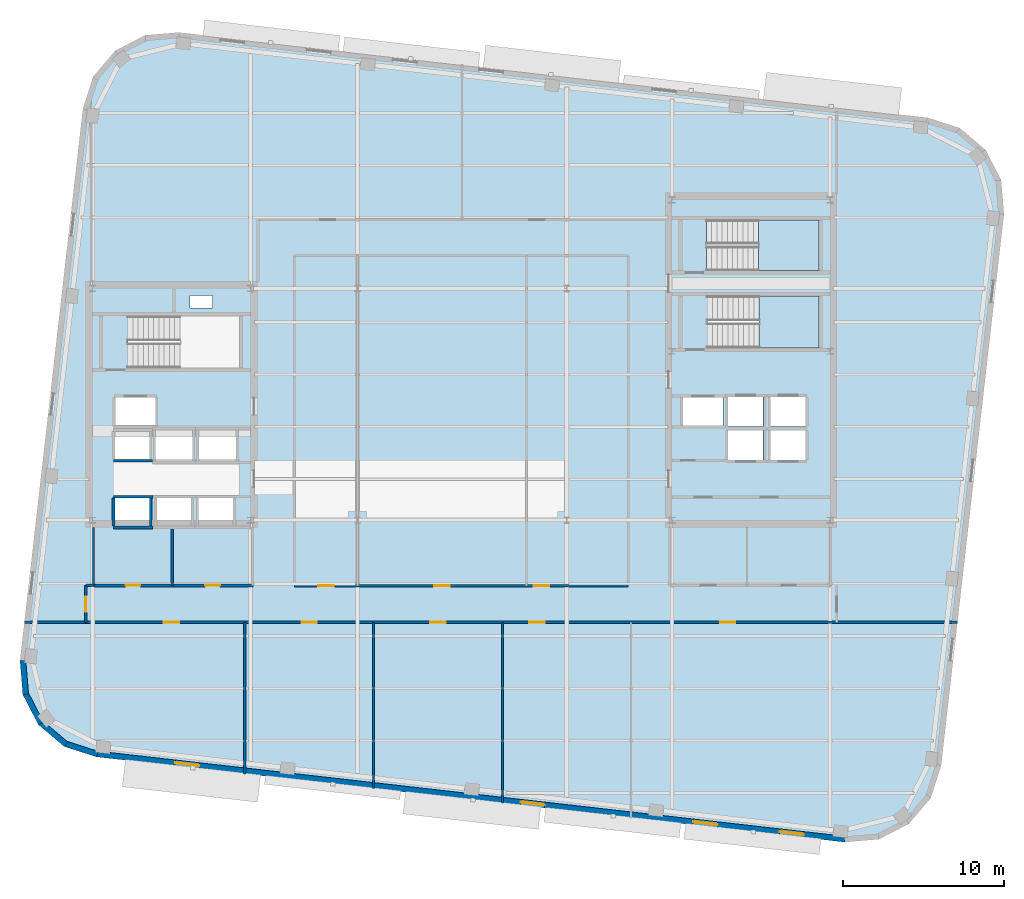
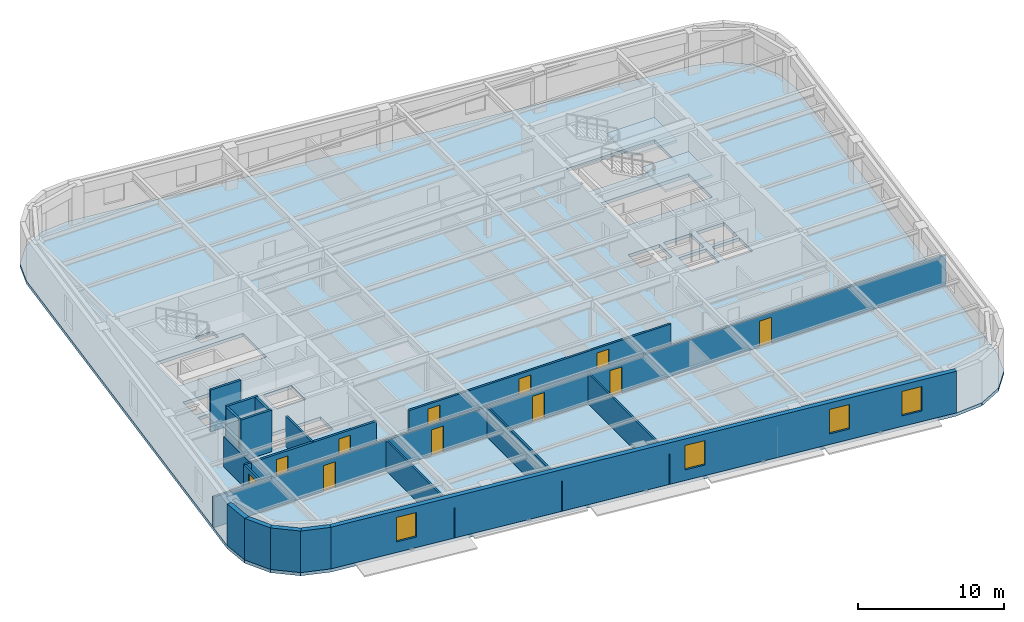
# One storey, part 5 of 12: 20 walls, 11 doors, 4 windows, 3 slabs, 15 openings, 2 elements without a shape of their own.
"""IFC4 building model written with IfcOpenShell, lengths in metres."""

from ifc_helpers import new_model, si_unit, direction, frame, frame_2d, origin, place, context, subcontext, project, spatial, polyline, rectangle, outline, extrude, material, layer, layer_set, type_object, element, fill, aggregate, save


model = new_model("IFC4")

# Units and contexts
model_context = context("Model", 3, precision=1e-05, world=origin(), true_north=direction((0.0, 1.0)))
body_context = subcontext(model_context, "Body", "Model", "MODEL_VIEW")
ifc_project = project(units=[si_unit("LENGTHUNIT", "METRE"), si_unit("AREAUNIT", "SQUARE_METRE"), si_unit("VOLUMEUNIT", "CUBIC_METRE"), si_unit("PLANEANGLEUNIT", "RADIAN"), si_unit("MASSUNIT", "GRAM", prefix="KILO")], contexts=[model_context])

# Site, building, storey
site_placement = place(None, origin())
site = spatial("IfcSite", under=ifc_project, at=site_placement, CompositionType="ELEMENT")
building_placement = place(site_placement, origin())
building = spatial("IfcBuilding", under=site, at=building_placement, Name="Kolvaren Arena Tower", CompositionType="ELEMENT")
storey_placement = place(building_placement, frame((0.0, 0.0, 220.949951171875)))
storey = spatial("IfcBuildingStorey", under=building, at=storey_placement, Name="L53", CompositionType="ELEMENT", Elevation=220.949951171875)

# Stair, slab
ifc_material_1 = material(Name="Concrete 45 MPa", Category="concrete")
stair_type_1 = type_object("IfcStairType", Name="STAIR-CORE-165", PredefinedType="HALF_TURN_STAIR", material=ifc_material_1)
stair_1_placement = place(storey_placement, origin())
stair_1 = element("IfcStair", 1, at=stair_1_placement, inside=storey, type_object=stair_type_1, Name="L53 ST-E1", PredefinedType="HALF_TURN_STAIR")
ifc_layer_1 = layer(ifc_material_1, 0.199951171875)
ifc_layer_set_1 = layer_set([ifc_layer_1], Name="Concrete 45 MPa")
slab_type_1 = type_object("IfcSlabType", Name="SLAB-LAND", PredefinedType="LANDING", material=ifc_layer_set_1)
slab_1_placement = place(storey_placement, frame((0.0, 0.0, 1.675048828125)))
slab_1 = element("IfcSlab", 2, at=slab_1_placement, type_object=slab_type_1, Name="ST-E1 landing 1", PredefinedType="LANDING", context=body_context, shape_type="SweptSolid", body=[
    extrude(outline(polyline([(55.9599609375, 30.14990234375), (59.659912109375, 30.14990234375), (59.659912109375, 33.3798828125), (55.9599609375, 33.3798828125), (55.9599609375, 30.14990234375)])), origin(), (0.0, 0.0, 1.0), 0.199951171875),
])
aggregate(stair_1, [slab_1])

stair_type_2 = type_object("IfcStairType", Name="STAIR-CORE-150", PredefinedType="HALF_TURN_STAIR", material=ifc_material_1)
stair_2_placement = place(storey_placement, origin())
stair_2 = element("IfcStair", 3, at=stair_2_placement, inside=storey, type_object=stair_type_2, Name="L53 ST-E2", PredefinedType="HALF_TURN_STAIR")
slab_2_placement = place(storey_placement, frame((0.0, 0.0, 1.675048828125)))
slab_2 = element("IfcSlab", 4, at=slab_2_placement, type_object=slab_type_1, Name="ST-E2 landing 1", PredefinedType="LANDING", context=body_context, shape_type="SweptSolid", body=[
    extrude(outline(polyline([(55.919921875, 34.949951171875), (59.659912109375, 34.949951171875), (59.659912109375, 38.10009765625), (55.919921875, 38.10009765625), (55.919921875, 34.949951171875)])), origin(), (0.0, 0.0, 1.0), 0.199951171875),
])
aggregate(stair_2, [slab_2])

# Slab
ifc_layer_2 = layer(ifc_material_1, 0.27001953125)
ifc_layer_set_2 = layer_set([ifc_layer_2], Name="Concrete 45 MPa")
slab_type_2 = type_object("IfcSlabType", Name="SLAB-OFF2", PredefinedType="FLOOR", material=ifc_layer_set_2)
slab_3_placement = place(storey_placement, frame((0.0, 0.0, -0.27001953125)))
element("IfcSlab", 5, at=slab_3_placement, inside=storey, type_object=slab_type_2, Name="L53 Primary Structural Slab", PredefinedType="FLOOR", context=body_context, shape_type="SweptSolid", body=[
    extrude(outline(polyline([(61.285400390625, -0.553466796875), (63.38525390625, -0.37890625), (65.25830078125, 0.585693359375), (66.619873046875, 2.194091796875), (67.26220703125, 4.20068359375), (71.16748046875, 38.47900390625), (70.9931640625, 40.57861328125), (70.0283203125, 42.45166015625), (68.42041015625, 43.81298828125), (66.41357421875, 44.455322265625), (19.91455078125, 49.75341796875), (17.814697265625, 49.578857421875), (15.941650390625, 48.6142578125), (14.580078125, 47.006103515625), (13.93798828125, 44.99951171875), (10.032470703125, 10.72119140625), (10.206787109375, 8.621337890625), (11.171630859375, 6.748291015625), (12.77978515625, 5.386962890625), (14.786376953125, 4.74462890625), (61.285400390625, -0.553466796875)]), holes=[polyline([(15.93505859375, 19.0849609375), (15.93505859375, 20.81494140625), (18.06494140625, 20.81494140625), (18.06494140625, 19.0849609375), (15.93505859375, 19.0849609375)]), polyline([(18.534912109375, 19.0849609375), (18.534912109375, 20.81494140625), (20.6650390625, 20.81494140625), (20.6650390625, 19.0849609375), (18.534912109375, 19.0849609375)]), polyline([(21.135009765625, 19.0849609375), (21.135009765625, 20.81494140625), (23.264892578125, 20.81494140625), (23.264892578125, 19.0849609375), (21.135009765625, 19.0849609375)]), polyline([(18.4599609375, 23.135009765625), (18.4599609375, 25.06494140625), (20.739990234375, 25.06494140625), (20.739990234375, 23.135009765625), (18.4599609375, 23.135009765625)]), polyline([(21.159912109375, 23.135009765625), (21.159912109375, 25.06494140625), (23.43994140625, 25.06494140625), (23.43994140625, 23.135009765625), (21.159912109375, 23.135009765625)]), polyline([(54.030029296875, 23.18505859375), (54.030029296875, 25.014892578125), (56.2099609375, 25.014892578125), (56.2099609375, 23.18505859375), (54.030029296875, 23.18505859375)]), polyline([(56.669921875, 23.18505859375), (56.669921875, 25.014892578125), (58.85009765625, 25.014892578125), (58.85009765625, 23.18505859375), (56.669921875, 23.18505859375)]), polyline([(15.93505859375, 23.235107421875), (15.93505859375, 24.965087890625), (18.06494140625, 24.965087890625), (18.06494140625, 23.235107421875), (15.93505859375, 23.235107421875)]), polyline([(54.030029296875, 25.284912109375), (54.030029296875, 27.114990234375), (56.2099609375, 27.114990234375), (56.2099609375, 25.284912109375), (54.030029296875, 25.284912109375)]), polyline([(56.669921875, 25.284912109375), (56.669921875, 27.114990234375), (58.85009765625, 27.114990234375), (58.85009765625, 25.284912109375), (56.669921875, 25.284912109375)]), polyline([(15.9599609375, 25.3349609375), (15.9599609375, 27.06494140625), (18.43994140625, 27.06494140625), (18.43994140625, 25.3349609375), (15.9599609375, 25.3349609375)]), polyline([(51.219970703125, 25.3349609375), (51.219970703125, 27.06494140625), (53.699951171875, 27.06494140625), (53.699951171875, 25.3349609375), (51.219970703125, 25.3349609375)]), polyline([(16.735107421875, 28.89990234375), (16.735107421875, 32.1298828125), (23.659912109375, 32.1298828125), (23.659912109375, 28.89990234375), (16.735107421875, 28.89990234375)]), polyline([(52.735107421875, 30.14990234375), (52.735107421875, 33.3798828125), (59.659912109375, 33.3798828125), (59.659912109375, 30.14990234375), (52.735107421875, 30.14990234375)]), polyline([(20.60009765625, 32.6201171875), (20.60009765625, 33.39990234375), (22.0, 33.39990234375), (22.0, 32.6201171875), (20.60009765625, 32.6201171875)]), polyline([(52.695068359375, 34.949951171875), (52.695068359375, 38.10009765625), (59.659912109375, 38.10009765625), (59.659912109375, 34.949951171875), (52.695068359375, 34.949951171875)])]), origin(), (0.0, 0.0, 1.0), 0.27001953125),
])

# Wall, openings, doors
ifc_material_2 = material(Name="Gypsum board acoustic assembly", Category="gypsum")
ifc_layer_3 = layer(ifc_material_2, 0.159912109375)
ifc_layer_set_3 = layer_set([ifc_layer_3], Name="Gypsum board acoustic assembly")
wall_type_1 = type_object("IfcWallType", Name="CORR-160", PredefinedType="PARTITIONING", material=ifc_layer_set_3)
wall_1_placement = place(storey_placement, frame((10.303466796875, 13.10009765625, 0.0), z_axis=(0.0, 0.0, 1.0), x_axis=(1.0, 0.0, 0.0)))
wall_1 = element("IfcWall", 6, at=wall_1_placement, inside=storey, type_object=wall_type_1, Name="Interior Partition Wall (L53)", PredefinedType="PARTITIONING", context=body_context, shape_type="SweptSolid", body=[
    extrude(rectangle(XDim=57.97265625, YDim=0.159912109375, at=frame_2d((28.986328125, 0.0))), origin(), (0.0, 0.0, 1.0), 2.5400390625),
])
opening_1_placement = place(wall_1_placement, frame((8.671630859375, 0.0, 0.0)))
opening_1 = element("IfcOpeningElement", 7, at=opening_1_placement, cuts=wall_1, Name="Opening D05", PredefinedType="OPENING", context=body_context, shape_type="SweptSolid", body=[
    extrude(rectangle(XDim=0.949951171875, YDim=2.14990234375, at=frame_2d((0.47509765625, 1.074951171875))), frame((0.0, 0.08984375, 0.0), z_axis=(0.0, -1.0, 0.0), x_axis=(1.0, 0.0, 0.0)), (0.0, 0.0, 1.0), 0.179931640625),
])
opening_2_placement = place(wall_1_placement, frame((17.2216796875, 0.0, 0.0)))
opening_2 = element("IfcOpeningElement", 8, at=opening_2_placement, cuts=wall_1, Name="Opening D05", PredefinedType="OPENING", context=body_context, shape_type="SweptSolid", body=[
    extrude(rectangle(XDim=0.949951171875, YDim=2.14990234375, at=frame_2d((0.47509765625, 1.074951171875))), frame((0.0, 0.08984375, 0.0), z_axis=(0.0, -1.0, 0.0), x_axis=(1.0, 0.0, 0.0)), (0.0, 0.0, 1.0), 0.179931640625),
])
opening_3_placement = place(wall_1_placement, frame((25.2216796875, 0.0, 0.0)))
opening_3 = element("IfcOpeningElement", 9, at=opening_3_placement, cuts=wall_1, Name="Opening D05", PredefinedType="OPENING", context=body_context, shape_type="SweptSolid", body=[
    extrude(rectangle(XDim=0.949951171875, YDim=2.14990234375, at=frame_2d((0.47509765625, 1.074951171875))), frame((0.0, 0.08984375, 0.0), z_axis=(0.0, -1.0, 0.0), x_axis=(1.0, 0.0, 0.0)), (0.0, 0.0, 1.0), 0.179931640625),
])
opening_4_placement = place(wall_1_placement, frame((31.37158203125, 0.0, 0.0)))
opening_4 = element("IfcOpeningElement", 10, at=opening_4_placement, cuts=wall_1, Name="Opening D05", PredefinedType="OPENING", context=body_context, shape_type="SweptSolid", body=[
    extrude(rectangle(XDim=0.949951171875, YDim=2.14990234375, at=frame_2d((0.47509765625, 1.074951171875))), frame((0.0, 0.08984375, 0.0), z_axis=(0.0, -1.0, 0.0), x_axis=(1.0, 0.0, 0.0)), (0.0, 0.0, 1.0), 0.179931640625),
])
opening_5_placement = place(wall_1_placement, frame((43.2216796875, 0.0, 0.0)))
opening_5 = element("IfcOpeningElement", 11, at=opening_5_placement, cuts=wall_1, Name="Opening D05", PredefinedType="OPENING", context=body_context, shape_type="SweptSolid", body=[
    extrude(rectangle(XDim=0.949951171875, YDim=2.14990234375, at=frame_2d((0.47509765625, 1.074951171875))), frame((0.0, 0.08984375, 0.0), z_axis=(0.0, -1.0, 0.0), x_axis=(1.0, 0.0, 0.0)), (0.0, 0.0, 1.0), 0.179931640625),
])
ifc_material_3 = material(Name="Solid-core oak acoustic office door", Category="wood")
door_type_1 = type_object("IfcDoorType", Name="DOOR-OF-095", OperationType="NOTDEFINED", PredefinedType="DOOR", material=ifc_material_3)
door_1_placement = place(opening_1_placement, origin())
door_1 = element("IfcDoor", 12, at=door_1_placement, inside=storey, type_object=door_type_1, Name="Technical Engineering Office Door (L53)", OperationType="SINGLE_SWING_LEFT", OverallHeight=2.14990234375, OverallWidth=0.949951171875, PredefinedType="DOOR", context=body_context, shape_type="SweptSolid", body=[
    extrude(rectangle(XDim=0.949951171875, YDim=2.14990234375, at=frame_2d((0.47509765625, 1.074951171875))), frame((0.0, 0.02490234375, 0.0), z_axis=(0.0, -1.0, 0.0), x_axis=(1.0, 0.0, 0.0)), (0.0, 0.0, 1.0), 0.050048828125),
])
fill(opening_1, door_1)
door_2_placement = place(opening_2_placement, origin())
door_2 = element("IfcDoor", 13, at=door_2_placement, inside=storey, type_object=door_type_1, Name="Training Seminar Room Door (L53)", OperationType="SINGLE_SWING_RIGHT", OverallHeight=2.14990234375, OverallWidth=0.949951171875, PredefinedType="DOOR", context=body_context, shape_type="SweptSolid", body=[
    extrude(rectangle(XDim=0.949951171875, YDim=2.14990234375, at=frame_2d((0.47509765625, 1.074951171875))), frame((0.0, 0.02490234375, 0.0), z_axis=(0.0, -1.0, 0.0), x_axis=(1.0, 0.0, 0.0)), (0.0, 0.0, 1.0), 0.050048828125),
])
fill(opening_2, door_2)
door_3_placement = place(opening_3_placement, origin())
door_3 = element("IfcDoor", 14, at=door_3_placement, inside=storey, type_object=door_type_1, Name="Open Plan Office Door (L53)", OperationType="SINGLE_SWING_LEFT", OverallHeight=2.14990234375, OverallWidth=0.949951171875, PredefinedType="DOOR", context=body_context, shape_type="SweptSolid", body=[
    extrude(rectangle(XDim=0.949951171875, YDim=2.14990234375, at=frame_2d((0.47509765625, 1.074951171875))), frame((0.0, 0.02490234375, 0.0), z_axis=(0.0, -1.0, 0.0), x_axis=(1.0, 0.0, 0.0)), (0.0, 0.0, 1.0), 0.050048828125),
])
fill(opening_3, door_3)
door_4_placement = place(opening_4_placement, origin())
door_4 = element("IfcDoor", 15, at=door_4_placement, inside=storey, type_object=door_type_1, Name="Boardroom Door (L53)", OperationType="SINGLE_SWING_RIGHT", OverallHeight=2.14990234375, OverallWidth=0.949951171875, PredefinedType="DOOR", context=body_context, shape_type="SweptSolid", body=[
    extrude(rectangle(XDim=0.949951171875, YDim=2.14990234375, at=frame_2d((0.47509765625, 1.074951171875))), frame((0.0, 0.02490234375, 0.0), z_axis=(0.0, -1.0, 0.0), x_axis=(1.0, 0.0, 0.0)), (0.0, 0.0, 1.0), 0.050048828125),
])
fill(opening_4, door_4)
door_5_placement = place(opening_5_placement, origin())
door_5 = element("IfcDoor", 16, at=door_5_placement, inside=storey, type_object=door_type_1, Name="Breakout Pantry and Kitchen Door (L53)", OperationType="SINGLE_SWING_LEFT", OverallHeight=2.14990234375, OverallWidth=0.949951171875, PredefinedType="DOOR", context=body_context, shape_type="SweptSolid", body=[
    extrude(rectangle(XDim=0.949951171875, YDim=2.14990234375, at=frame_2d((0.47509765625, 1.074951171875))), frame((0.0, 0.02490234375, 0.0), z_axis=(0.0, -1.0, 0.0), x_axis=(1.0, 0.0, 0.0)), (0.0, 0.0, 1.0), 0.050048828125),
])
fill(opening_5, door_5)

wall_2_placement = place(storey_placement, frame((27.080078125, 15.3798828125, 0.0), z_axis=(0.0, 0.0, 1.0), x_axis=(1.0, 0.0, 0.0)))
wall_2 = element("IfcWall", 17, at=wall_2_placement, inside=storey, type_object=wall_type_1, Name="Interior Partition Wall (L53)", PredefinedType="PARTITIONING", context=body_context, shape_type="SweptSolid", body=[
    extrude(rectangle(XDim=20.739990234375, YDim=0.159912109375, at=frame_2d((10.3701171875, 0.0))), origin(), (0.0, 0.0, 1.0), 2.5400390625),
])
opening_6_placement = place(wall_2_placement, frame((1.4951171875, 0.0, 0.0)))
opening_6 = element("IfcOpeningElement", 18, at=opening_6_placement, cuts=wall_2, Name="Opening D05", PredefinedType="OPENING", context=body_context, shape_type="SweptSolid", body=[
    extrude(rectangle(XDim=0.949951171875, YDim=2.14990234375, at=frame_2d((0.47509765625, 1.074951171875))), frame((0.0, 0.08984375, 0.0), z_axis=(0.0, -1.0, 0.0), x_axis=(1.0, 0.0, 0.0)), (0.0, 0.0, 1.0), 0.179931640625),
])
opening_7_placement = place(wall_2_placement, frame((8.695068359375, 0.0, 0.0)))
opening_7 = element("IfcOpeningElement", 19, at=opening_7_placement, cuts=wall_2, Name="Opening D05", PredefinedType="OPENING", context=body_context, shape_type="SweptSolid", body=[
    extrude(rectangle(XDim=0.949951171875, YDim=2.14990234375, at=frame_2d((0.47509765625, 1.074951171875))), frame((0.0, 0.08984375, 0.0), z_axis=(0.0, -1.0, 0.0), x_axis=(1.0, 0.0, 0.0)), (0.0, 0.0, 1.0), 0.179931640625),
])
opening_8_placement = place(wall_2_placement, frame((14.8701171875, 0.0, 0.0)))
opening_8 = element("IfcOpeningElement", 20, at=opening_8_placement, cuts=wall_2, Name="Opening D05", PredefinedType="OPENING", context=body_context, shape_type="SweptSolid", body=[
    extrude(rectangle(XDim=0.949951171875, YDim=2.14990234375, at=frame_2d((0.47509765625, 1.074951171875))), frame((0.0, 0.08984375, 0.0), z_axis=(0.0, -1.0, 0.0), x_axis=(1.0, 0.0, 0.0)), (0.0, 0.0, 1.0), 0.179931640625),
])
door_6_placement = place(opening_6_placement, origin())
door_6 = element("IfcDoor", 21, at=door_6_placement, inside=storey, type_object=door_type_1, Name="Training Seminar Room Door (L53)", OperationType="SINGLE_SWING_RIGHT", OverallHeight=2.14990234375, OverallWidth=0.949951171875, PredefinedType="DOOR", context=body_context, shape_type="SweptSolid", body=[
    extrude(rectangle(XDim=0.949951171875, YDim=2.14990234375, at=frame_2d((0.47509765625, 1.074951171875))), frame((0.0, 0.02490234375, 0.0), z_axis=(0.0, -1.0, 0.0), x_axis=(1.0, 0.0, 0.0)), (0.0, 0.0, 1.0), 0.050048828125),
])
fill(opening_6, door_6)
door_7_placement = place(opening_7_placement, origin())
door_7 = element("IfcDoor", 22, at=door_7_placement, inside=storey, type_object=door_type_1, Name="Open Plan Office Door (L53)", OperationType="SINGLE_SWING_LEFT", OverallHeight=2.14990234375, OverallWidth=0.949951171875, PredefinedType="DOOR", context=body_context, shape_type="SweptSolid", body=[
    extrude(rectangle(XDim=0.949951171875, YDim=2.14990234375, at=frame_2d((0.47509765625, 1.074951171875))), frame((0.0, 0.02490234375, 0.0), z_axis=(0.0, -1.0, 0.0), x_axis=(1.0, 0.0, 0.0)), (0.0, 0.0, 1.0), 0.050048828125),
])
fill(opening_7, door_7)
door_8_placement = place(opening_8_placement, origin())
door_8 = element("IfcDoor", 23, at=door_8_placement, inside=storey, type_object=door_type_1, Name="Corporate Project Office Door (L53)", OperationType="SINGLE_SWING_RIGHT", OverallHeight=2.14990234375, OverallWidth=0.949951171875, PredefinedType="DOOR", context=body_context, shape_type="SweptSolid", body=[
    extrude(rectangle(XDim=0.949951171875, YDim=2.14990234375, at=frame_2d((0.47509765625, 1.074951171875))), frame((0.0, 0.02490234375, 0.0), z_axis=(0.0, -1.0, 0.0), x_axis=(1.0, 0.0, 0.0)), (0.0, 0.0, 1.0), 0.050048828125),
])
fill(opening_8, door_8)

# Wall, opening, door
wall_3_placement = place(storey_placement, frame((14.1201171875, 13.10009765625, 0.0), z_axis=(0.0, 0.0, 1.0), x_axis=(0.0, 1.0, 0.0)))
wall_3 = element("IfcWall", 24, at=wall_3_placement, inside=storey, type_object=wall_type_1, Name="Interior Partition Wall (L53)", PredefinedType="PARTITIONING", context=body_context, shape_type="SweptSolid", body=[
    extrude(rectangle(XDim=2.2998046875, YDim=0.159912109375, at=frame_2d((1.14990234375, 0.0))), origin(), (0.0, 0.0, 1.0), 2.5400390625),
])
opening_9_placement = place(wall_3_placement, frame((0.64990234375, 0.0, 0.0)))
opening_9 = element("IfcOpeningElement", 25, at=opening_9_placement, cuts=wall_3, Name="Opening D05", PredefinedType="OPENING", context=body_context, shape_type="SweptSolid", body=[
    extrude(rectangle(XDim=0.949951171875, YDim=2.14990234375, at=frame_2d((0.47509765625, 1.074951171875))), frame((0.0, 0.08984375, 0.0), z_axis=(0.0, -1.0, 0.0), x_axis=(1.0, 0.0, 0.0)), (0.0, 0.0, 1.0), 0.179931640625),
])
door_9_placement = place(opening_9_placement, origin())
door_9 = element("IfcDoor", 26, at=door_9_placement, inside=storey, type_object=door_type_1, Name="West Wing Office Door (L53)", OperationType="SINGLE_SWING_LEFT", OverallHeight=2.14990234375, OverallWidth=0.949951171875, PredefinedType="DOOR", context=body_context, shape_type="SweptSolid", body=[
    extrude(rectangle(XDim=0.949951171875, YDim=2.14990234375, at=frame_2d((0.47509765625, 1.074951171875))), frame((0.0, 0.02490234375, 0.0), z_axis=(0.0, -1.0, 0.0), x_axis=(1.0, 0.0, 0.0)), (0.0, 0.0, 1.0), 0.050048828125),
])
fill(opening_9, door_9)

# Walls
wall_4_placement = place(storey_placement, frame((14.1201171875, 15.39990234375, 0.0), z_axis=(0.0, 0.0, 1.0), x_axis=(1.0, 0.0, 0.0)))
element("IfcWall", 27, at=wall_4_placement, inside=storey, type_object=wall_type_1, Name="Interior Partition Wall (L53)", PredefinedType="PARTITIONING", context=body_context, shape_type="SweptSolid", body=[
    extrude(rectangle(XDim=0.5, YDim=0.159912109375, at=frame_2d((0.25, 0.0))), origin(), (0.0, 0.0, 1.0), 2.5400390625),
])
ifc_material_4 = material(Name="Precast concrete C50/60", Category="concrete")
ifc_layer_4 = layer(ifc_material_4, 0.360107421875)
ifc_layer_set_4 = layer_set([ifc_layer_4], Name="Precast concrete C50/60")
wall_type_2 = type_object("IfcWallType", Name="EXT-PIER2", PredefinedType="SOLIDWALL", material=ifc_layer_set_4)
wall_5_placement = place(storey_placement, frame((10.38623046875, 8.63623046875, 0.0), z_axis=(0.0, 0.0, 1.0), x_axis=(-0.082729038891, 0.996572077737, 0.0)))
element("IfcWall", 28, at=wall_5_placement, inside=storey, type_object=wall_type_2, Name="Exterior Precast Masonry-Frame Wall (L53)", PredefinedType="SOLIDWALL", context=body_context, shape_type="SweptSolid", body=[
    extrude(rectangle(XDim=2.107177734375, YDim=0.360107421875, at=frame_2d((1.0537109375, 0.0))), origin(), (0.0, 0.0, 1.0), 3.47998046875),
])
for number, where, z_axis, x_axis, name in (
    (29, (11.33154296875, 6.830810546875, 0.0), (0.0, 0.0, 1.0), (-0.457934390142, 0.888985992199, 0.0), "Exterior Precast Masonry-Frame Wall (L53)"),
    (30, (12.89599609375, 5.5244140625, 0.0), (0.0, 0.0, 1.0), (-0.763250018691, 0.646103249464, 0.0), "Exterior Precast Masonry-Frame Wall (L53)"),
    (31, (14.84130859375, 4.916015625, 0.0), (0.0, 0.0, 1.0), (-0.952393196904, 0.304872429864, 0.0), "Exterior Precast Masonry-Frame Wall (L53)"),
):
    element("IfcWall", number, at=place(storey_placement, frame(where, z_axis=z_axis, x_axis=x_axis)), inside=storey, type_object=wall_type_2, Name=name, PredefinedType="SOLIDWALL", context=body_context, shape_type="SweptSolid", body=[
        extrude(rectangle(XDim=2.10693359375, YDim=0.360107421875, at=frame_2d((1.053466796875, 0.0))), origin(), (0.0, 0.0, 1.0), 3.47998046875),
    ])

# Wall, openings, windows
wall_6_placement = place(storey_placement, frame((61.305908203125, -0.37451171875, 0.0), z_axis=(0.0, 0.0, 1.0), x_axis=(-0.993571958919, 0.113202307616, 0.0)))
wall_6 = element("IfcWall", 32, at=wall_6_placement, inside=storey, type_object=wall_type_2, Name="Exterior Precast Masonry-Frame Wall (L53)", PredefinedType="SOLIDWALL", context=body_context, shape_type="SweptSolid", body=[
    extrude(rectangle(XDim=46.7998046875, YDim=0.360107421875, at=frame_2d((23.39990234375, 0.0))), origin(), (0.0, 0.0, 1.0), 3.47998046875),
])
opening_10_placement = place(wall_6_placement, frame((2.60009765625, 0.0, 0.8798828125)))
opening_10 = element("IfcOpeningElement", 33, at=opening_10_placement, cuts=wall_6, Name="Opening W03", PredefinedType="OPENING", context=body_context, shape_type="SweptSolid", body=[
    extrude(rectangle(XDim=1.5, YDim=2.050048828125, at=frame_2d((0.75, 1.02490234375))), frame((0.0, 0.18994140625, 0.0), z_axis=(0.0, -1.0, 0.0), x_axis=(1.0, 0.0, 0.0)), (0.0, 0.0, 1.0), 0.380126953125),
])
opening_11_placement = place(wall_6_placement, frame((8.0, 0.0, 0.8798828125)))
opening_11 = element("IfcOpeningElement", 34, at=opening_11_placement, cuts=wall_6, Name="Opening W03", PredefinedType="OPENING", context=body_context, shape_type="SweptSolid", body=[
    extrude(rectangle(XDim=1.5, YDim=2.050048828125, at=frame_2d((0.75, 1.02490234375))), frame((0.0, 0.18994140625, 0.0), z_axis=(0.0, -1.0, 0.0), x_axis=(1.0, 0.0, 0.0)), (0.0, 0.0, 1.0), 0.380126953125),
])
opening_12_placement = place(wall_6_placement, frame((18.800048828125, 0.0, 0.8798828125)))
opening_12 = element("IfcOpeningElement", 35, at=opening_12_placement, cuts=wall_6, Name="Opening W03", PredefinedType="OPENING", context=body_context, shape_type="SweptSolid", body=[
    extrude(rectangle(XDim=1.5, YDim=2.050048828125, at=frame_2d((0.75, 1.02490234375))), frame((0.0, 0.18994140625, 0.0), z_axis=(0.0, -1.0, 0.0), x_axis=(1.0, 0.0, 0.0)), (0.0, 0.0, 1.0), 0.380126953125),
])
opening_13_placement = place(wall_6_placement, frame((40.39990234375, 0.0, 0.8798828125)))
opening_13 = element("IfcOpeningElement", 36, at=opening_13_placement, cuts=wall_6, Name="Opening W03", PredefinedType="OPENING", context=body_context, shape_type="SweptSolid", body=[
    extrude(rectangle(XDim=1.5, YDim=2.050048828125, at=frame_2d((0.75, 1.02490234375))), frame((0.0, 0.18994140625, 0.0), z_axis=(0.0, -1.0, 0.0), x_axis=(1.0, 0.0, 0.0)), (0.0, 0.0, 1.0), 0.380126953125),
])
ifc_material_5 = material(Name="Triple-glazed low-E aluminium window", Category="aluminium")
window_type = type_object("IfcWindowType", Name="WIN-OFF-C", PartitioningType="SINGLE_PANEL", PredefinedType="WINDOW", material=ifc_material_5)
window_1_placement = place(opening_10_placement, origin())
window_1 = element("IfcWindow", 37, at=window_1_placement, inside=storey, type_object=window_type, Name="Punched Precast-Pier Window (L53)", OverallHeight=2.050048828125, OverallWidth=1.5, PartitioningType="SINGLE_PANEL", PredefinedType="WINDOW", context=body_context, shape_type="SweptSolid", body=[
    extrude(rectangle(XDim=1.5, YDim=2.050048828125, at=frame_2d((0.75, 1.02490234375))), frame((0.0, 0.030029296875, 0.0), z_axis=(0.0, -1.0, 0.0), x_axis=(1.0, 0.0, 0.0)), (0.0, 0.0, 1.0), 0.06005859375),
])
fill(opening_10, window_1)
window_2_placement = place(opening_11_placement, origin())
window_2 = element("IfcWindow", 38, at=window_2_placement, inside=storey, type_object=window_type, Name="Punched Precast-Pier Window (L53)", OverallHeight=2.050048828125, OverallWidth=1.5, PartitioningType="SINGLE_PANEL", PredefinedType="WINDOW", context=body_context, shape_type="SweptSolid", body=[
    extrude(rectangle(XDim=1.5, YDim=2.050048828125, at=frame_2d((0.75, 1.02490234375))), frame((0.0, 0.030029296875, 0.0), z_axis=(0.0, -1.0, 0.0), x_axis=(1.0, 0.0, 0.0)), (0.0, 0.0, 1.0), 0.06005859375),
])
fill(opening_11, window_2)
window_3_placement = place(opening_12_placement, origin())
window_3 = element("IfcWindow", 39, at=window_3_placement, inside=storey, type_object=window_type, Name="Punched Precast-Pier Window (L53)", OverallHeight=2.050048828125, OverallWidth=1.5, PartitioningType="SINGLE_PANEL", PredefinedType="WINDOW", context=body_context, shape_type="SweptSolid", body=[
    extrude(rectangle(XDim=1.5, YDim=2.050048828125, at=frame_2d((0.75, 1.02490234375))), frame((0.0, 0.030029296875, 0.0), z_axis=(0.0, -1.0, 0.0), x_axis=(1.0, 0.0, 0.0)), (0.0, 0.0, 1.0), 0.06005859375),
])
fill(opening_12, window_3)
window_4_placement = place(opening_13_placement, origin())
window_4 = element("IfcWindow", 40, at=window_4_placement, inside=storey, type_object=window_type, Name="Punched Precast-Pier Window (L53)", OverallHeight=2.050048828125, OverallWidth=1.5, PartitioningType="SINGLE_PANEL", PredefinedType="WINDOW", context=body_context, shape_type="SweptSolid", body=[
    extrude(rectangle(XDim=1.5, YDim=2.050048828125, at=frame_2d((0.75, 1.02490234375))), frame((0.0, 0.030029296875, 0.0), z_axis=(0.0, -1.0, 0.0), x_axis=(1.0, 0.0, 0.0)), (0.0, 0.0, 1.0), 0.06005859375),
])
fill(opening_13, window_4)

# Walls
ifc_material_6 = material(Name="Gypsum board partition assembly", Category="gypsum")
ifc_layer_5 = layer(ifc_material_6, 0.135009765625)
ifc_layer_set_5 = layer_set([ifc_layer_5], Name="Gypsum board partition assembly")
wall_type_3 = type_object("IfcWallType", Name="PART-135", PredefinedType="PARTITIONING", material=ifc_layer_set_5)
wall_7_placement = place(storey_placement, frame((24.0, 3.69482421875, 0.0), z_axis=(0.0, 0.0, 1.0), x_axis=(0.0, 1.0, 0.0)))
element("IfcWall", 41, at=wall_7_placement, inside=storey, type_object=wall_type_3, Name="Interior Partition Wall (L53)", PredefinedType="PARTITIONING", context=body_context, shape_type="SweptSolid", body=[
    extrude(rectangle(XDim=9.4052734375, YDim=0.135009765625, at=frame_2d((4.70263671875, 0.0))), origin(), (0.0, 0.0, 1.0), 2.5400390625),
])
wall_8_placement = place(storey_placement, frame((32.0, 2.783203125, 0.0), z_axis=(0.0, 0.0, 1.0), x_axis=(0.0, 1.0, 0.0)))
element("IfcWall", 42, at=wall_8_placement, inside=storey, type_object=wall_type_3, Name="Interior Partition Wall (L53)", PredefinedType="PARTITIONING", context=body_context, shape_type="SweptSolid", body=[
    extrude(rectangle(XDim=10.31689453125, YDim=0.135009765625, at=frame_2d((5.158447265625, 0.0))), origin(), (0.0, 0.0, 1.0), 2.5400390625),
])
wall_9_placement = place(storey_placement, frame((40.0, 1.871826171875, 0.0), z_axis=(0.0, 0.0, 1.0), x_axis=(0.0, 1.0, 0.0)))
element("IfcWall", 43, at=wall_9_placement, inside=storey, type_object=wall_type_3, Name="Interior Partition Wall (L53)", PredefinedType="PARTITIONING", context=body_context, shape_type="SweptSolid", body=[
    extrude(rectangle(XDim=11.228271484375, YDim=0.135009765625, at=frame_2d((5.6142578125, 0.0))), origin(), (0.0, 0.0, 1.0), 2.5400390625),
])
ifc_layer_6 = layer(ifc_material_1, 0.25)
ifc_layer_set_6 = layer_set([ifc_layer_6], Name="Concrete 45 MPa")
wall_type_4 = type_object("IfcWallType", Name="SHAFT-250", PredefinedType="SOLIDWALL", material=ifc_layer_set_6)
for number, where, z_axis, x_axis, name in (
    (44, (15.844970703125, 20.905029296875, 0.0), (0.0, 0.0, 1.0), (1.0, 0.0, 0.0), "Core Shaft Wall (L53)"),
    (45, (15.844970703125, 18.9951171875, 0.0), (0.0, 0.0, 1.0), (1.0, 0.0, 0.0), "Core Shaft Wall (L53)"),
):
    element("IfcWall", number, at=place(storey_placement, frame(where, z_axis=z_axis, x_axis=x_axis)), inside=storey, type_object=wall_type_4, Name=name, PredefinedType="SOLIDWALL", context=body_context, shape_type="SweptSolid", body=[
        extrude(rectangle(XDim=2.455078125, YDim=0.179931640625, at=frame_2d((1.2275390625, 0.0))), origin(), (0.0, 0.0, 1.0), 3.47998046875),
    ])
for number, where, z_axis, x_axis, name in (
    (46, (15.844970703125, 19.0849609375, 0.0), (0.0, 0.0, 1.0), (0.0, 1.0, 0.0), "Core Shaft Wall (L53)"),
    (47, (18.155029296875, 19.0849609375, 0.0), (0.0, 0.0, 1.0), (0.0, 1.0, 0.0), "Core Shaft Wall (L53)"),
):
    element("IfcWall", number, at=place(storey_placement, frame(where, z_axis=z_axis, x_axis=x_axis)), inside=storey, type_object=wall_type_4, Name=name, PredefinedType="SOLIDWALL", context=body_context, shape_type="SweptSolid", body=[
        extrude(rectangle(XDim=1.72998046875, YDim=0.179931640625, at=frame_2d((0.864990234375, 0.0))), origin(), (0.0, 0.0, 1.0), 3.47998046875),
    ])
wall_10_placement = place(storey_placement, frame((15.844970703125, 23.14501953125, 0.0), z_axis=(0.0, 0.0, 1.0), x_axis=(1.0, 0.0, 0.0)))
element("IfcWall", 48, at=wall_10_placement, inside=storey, type_object=wall_type_4, Name="Core Shaft Wall (L53)", PredefinedType="SOLIDWALL", context=body_context, shape_type="SweptSolid", body=[
    extrude(rectangle(XDim=2.41748046875, YDim=0.179931640625, at=frame_2d((1.208740234375, 0.0))), origin(), (0.0, 0.0, 1.0), 3.47998046875),
])
ifc_material_7 = material(Name="Moisture-resistant gypsum assembly", Category="gypsum")
ifc_layer_7 = layer(ifc_material_7, 0.14990234375)
ifc_layer_set_7 = layer_set([ifc_layer_7], Name="Moisture-resistant gypsum assembly")
wall_type_5 = type_object("IfcWallType", Name="WETW-150", PredefinedType="PARTITIONING", material=ifc_layer_set_7)
wall_11_placement = place(storey_placement, frame((19.5, 15.39990234375, 0.0), z_axis=(0.0, 0.0, 1.0), x_axis=(0.0, 1.0, 0.0)))
element("IfcWall", 49, at=wall_11_placement, inside=storey, type_object=wall_type_5, Name="Interior Partition Wall (L53)", PredefinedType="PARTITIONING", context=body_context, shape_type="SweptSolid", body=[
    extrude(rectangle(XDim=3.580078125, YDim=0.14990234375, at=frame_2d((1.7900390625, 0.0))), origin(), (0.0, 0.0, 1.0), 2.5400390625),
])

# Wall, openings, doors
wall_12_placement = place(storey_placement, frame((14.60009765625, 15.39990234375, 0.0), z_axis=(0.0, 0.0, 1.0), x_axis=(1.0, 0.0, 0.0)))
wall_12 = element("IfcWall", 50, at=wall_12_placement, inside=storey, type_object=wall_type_5, Name="Interior Partition Wall (L53)", PredefinedType="PARTITIONING", context=body_context, shape_type="SweptSolid", body=[
    extrude(rectangle(XDim=9.89990234375, YDim=0.179931640625, at=frame_2d((4.949951171875, 0.0))), origin(), (0.0, 0.0, 1.0), 2.5400390625),
])
opening_14_placement = place(wall_12_placement, frame((1.989990234375, 0.0, 0.0)))
opening_14 = element("IfcOpeningElement", 51, at=opening_14_placement, cuts=wall_12, Name="Opening D07", PredefinedType="OPENING", context=body_context, shape_type="SweptSolid", body=[
    extrude(rectangle(XDim=0.919921875, YDim=2.10009765625, at=frame_2d((0.4599609375, 1.050048828125))), frame((0.0, 0.099853515625, 0.0), z_axis=(0.0, -1.0, 0.0), x_axis=(1.0, 0.0, 0.0)), (0.0, 0.0, 1.0), 0.199951171875),
])
opening_15_placement = place(wall_12_placement, frame((6.93994140625, 0.0, 0.0)))
opening_15 = element("IfcOpeningElement", 52, at=opening_15_placement, cuts=wall_12, Name="Opening D07", PredefinedType="OPENING", context=body_context, shape_type="SweptSolid", body=[
    extrude(rectangle(XDim=0.919921875, YDim=2.10009765625, at=frame_2d((0.4599609375, 1.050048828125))), frame((0.0, 0.099853515625, 0.0), z_axis=(0.0, -1.0, 0.0), x_axis=(1.0, 0.0, 0.0)), (0.0, 0.0, 1.0), 0.199951171875),
])
ifc_material_8 = material(Name="Laminate universal washroom door", Category="wood")
door_type_2 = type_object("IfcDoorType", Name="DOOR-WC-092", OperationType="NOTDEFINED", PredefinedType="DOOR", material=ifc_material_8)
door_10_placement = place(opening_14_placement, origin())
door_10 = element("IfcDoor", 53, at=door_10_placement, inside=storey, type_object=door_type_2, Name="Universal Barrier-Free Washroom Door (L53)", OperationType="SINGLE_SWING_LEFT", OverallHeight=2.10009765625, OverallWidth=0.919921875, PredefinedType="DOOR", context=body_context, shape_type="SweptSolid", body=[
    extrude(rectangle(XDim=0.919921875, YDim=2.10009765625, at=frame_2d((0.4599609375, 1.050048828125))), frame((0.0, 0.02490234375, 0.0), z_axis=(0.0, -1.0, 0.0), x_axis=(1.0, 0.0, 0.0)), (0.0, 0.0, 1.0), 0.050048828125),
])
fill(opening_14, door_10)
door_11_placement = place(opening_15_placement, origin())
door_11 = element("IfcDoor", 54, at=door_11_placement, inside=storey, type_object=door_type_2, Name="Gender-Neutral Washroom Door (L53)", OperationType="SINGLE_SWING_RIGHT", OverallHeight=2.10009765625, OverallWidth=0.919921875, PredefinedType="DOOR", context=body_context, shape_type="SweptSolid", body=[
    extrude(rectangle(XDim=0.919921875, YDim=2.10009765625, at=frame_2d((0.4599609375, 1.050048828125))), frame((0.0, 0.02490234375, 0.0), z_axis=(0.0, -1.0, 0.0), x_axis=(1.0, 0.0, 0.0)), (0.0, 0.0, 1.0), 0.050048828125),
])
fill(opening_15, door_11)

# Wall
wall_13_placement = place(storey_placement, frame((14.60009765625, 15.39990234375, 0.0), z_axis=(0.0, 0.0, 1.0), x_axis=(0.0, 1.0, 0.0)))
element("IfcWall", 55, at=wall_13_placement, inside=storey, type_object=wall_type_5, Name="Interior Partition Wall (L53)", PredefinedType="PARTITIONING", context=body_context, shape_type="SweptSolid", body=[
    extrude(rectangle(XDim=3.580078125, YDim=0.14990234375, at=frame_2d((1.7900390625, 0.0))), origin(), (0.0, 0.0, 1.0), 2.5400390625),
])

save(model, "model.ifc")
